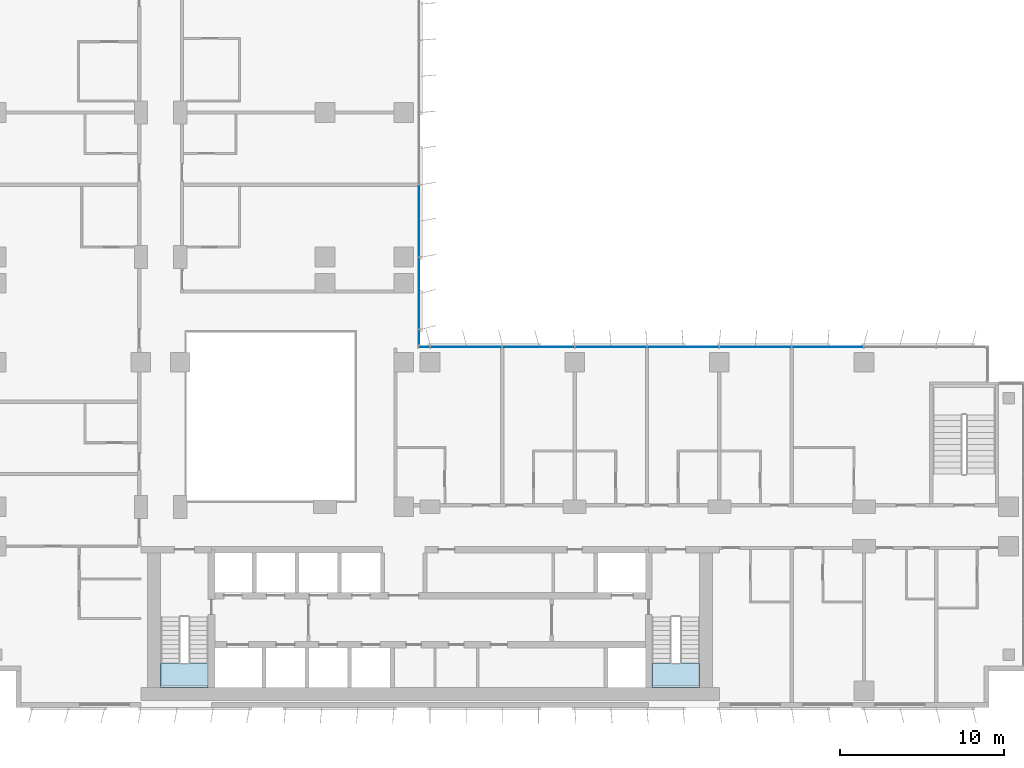
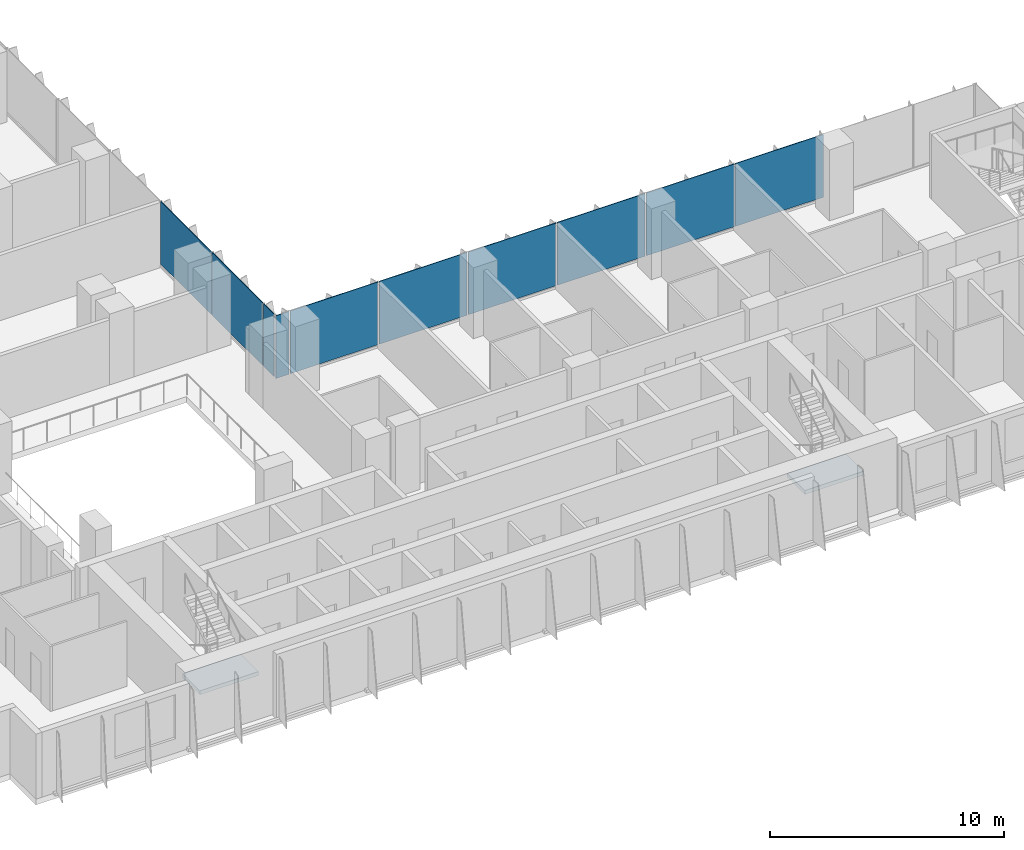
# One storey, part 10 of 23: 10 plates, 2 slabs, 4 elements without a shape of their own.
"""IFC4 building model written with IfcOpenShell, lengths in metres."""

from ifc_helpers import new_model, si_unit, direction, frame, origin, origin_2d, place, context, subcontext, project, spatial, polyline, rectangle, outline, extrude, source, transform, mapped, material, layer, layer_set, type_object, element, aggregate, save


model = new_model("IFC4")

# Units and contexts
model_context = context("Model", 3, precision=1e-05, world=origin(), true_north=direction((0.0, 1.0)))
body_context = subcontext(model_context, "Body", "Model", "MODEL_VIEW")
ifc_project = project(units=[si_unit("LENGTHUNIT", "METRE"), si_unit("AREAUNIT", "SQUARE_METRE"), si_unit("VOLUMEUNIT", "CUBIC_METRE"), si_unit("PLANEANGLEUNIT", "RADIAN"), si_unit("MASSUNIT", "GRAM", prefix="KILO")], contexts=[model_context])

# Site, building, storey
site_placement = place(None, origin())
site = spatial("IfcSite", under=ifc_project, at=site_placement, CompositionType="ELEMENT")
building_placement = place(site_placement, origin())
building = spatial("IfcBuilding", under=site, at=building_placement, Name="Kemantara Hotel Tower", CompositionType="ELEMENT")
storey_placement = place(building_placement, frame((0.0, 0.0, 114.800048828125)))
storey = spatial("IfcBuildingStorey", under=building, at=storey_placement, Name="L27", CompositionType="ELEMENT", Elevation=114.800048828125)

# Stair, slab
ifc_material_1 = material(Name="Concrete fc 40 MPa", Category="concrete")
stair_type = type_object("IfcStairType", Name="Stair 1200 wide 22 risers of 168 x 280 mm", PredefinedType="HALF_TURN_STAIR", material=ifc_material_1)
stair_1_placement = place(storey_placement, origin())
stair_1 = element("IfcStair", 1, at=stair_1_placement, inside=storey, type_object=stair_type, Name="L27 Exit stair ST1", PredefinedType="HALF_TURN_STAIR")
ifc_layer_1 = layer(ifc_material_1, 0.199951171875)
ifc_layer_set_1 = layer_set([ifc_layer_1], Name="Concrete fc 40 MPa")
slab_type = type_object("IfcSlabType", Name="Stair landing 200 mm", PredefinedType="LANDING", material=ifc_layer_set_1)
slab_1_placement = place(storey_placement, frame((0.0, 0.0, 1.64990234375)))
slab_1 = element("IfcSlab", 2, at=slab_1_placement, type_object=slab_type, Name="ST1 landing 1", PredefinedType="LANDING", context=body_context, shape_type="SweptSolid", body=[
    extrude(outline(polyline([(11.0, 2.699951171875), (11.0, 1.199951171875), (13.89990234375, 1.199951171875), (13.89990234375, 2.699951171875), (11.0, 2.699951171875)])), origin(), (0.0, 0.0, 1.0), 0.199951171875),
])
aggregate(stair_1, [slab_1])

stair_2_placement = place(storey_placement, origin())
stair_2 = element("IfcStair", 3, at=stair_2_placement, inside=storey, type_object=stair_type, Name="L27 Exit stair ST2", PredefinedType="HALF_TURN_STAIR")
slab_2_placement = place(storey_placement, frame((0.0, 0.0, 1.64990234375)))
slab_2 = element("IfcSlab", 4, at=slab_2_placement, type_object=slab_type, Name="ST2 landing 1", PredefinedType="LANDING", context=body_context, shape_type="SweptSolid", body=[
    extrude(outline(polyline([(40.89990234375, 2.699951171875), (40.89990234375, 1.199951171875), (43.800048828125, 1.199951171875), (43.800048828125, 2.699951171875), (40.89990234375, 2.699951171875)])), origin(), (0.0, 0.0, 1.0), 0.199951171875),
])
aggregate(stair_2, [slab_2])

# Curtain wall, plates
ifc_material_2 = material(Name="Low-E tinted double insulated glass 36 mm", Category="glass")
curtain_wall_type = type_object("IfcCurtainWallType", Name="TOWER CURTAIN WALL, FRONT FACES", PredefinedType="USERDEFINED", material=ifc_material_2)
curtain_wall_1_placement = place(storey_placement, origin())
curtain_wall_1 = element("IfcCurtainWall", 5, at=curtain_wall_1_placement, inside=storey, type_object=curtain_wall_type, Name="CW4 L27 T2-R13-1", ObjectType="TOWER CURTAIN WALL, FRONT FACES", PredefinedType="USERDEFINED")
ifc_layer_2 = layer(ifc_material_2, 0.035888671875)
ifc_layer_set_2 = layer_set([ifc_layer_2], Name="Low-E tinted double insulated glass 36 mm")
plate_type = type_object("IfcPlateType", Name="TOWER CURTAIN WALL, FRONT FACES PANEL", PredefinedType="CURTAIN_PANEL", material=ifc_layer_set_2)
shared_shape_1 = source(origin(), body_context, "Body", "SweptSolid", [
    extrude(rectangle(XDim=4.340087890625, YDim=0.035888671875, at=origin_2d()), origin(), (0.0, 0.0, 1.0), 3.280029296875),
])
plate_1_placement = place(storey_placement, frame((51.60009765625, 21.925048828125, 0.1201171875), z_axis=(0.0, 0.0, 1.0), x_axis=(-1.0, 0.0, 0.0)))
plate_1 = element("IfcPlate", 6, at=plate_1_placement, type_object=plate_type, Name="CW4 glass panel T2-R13-1.3", PredefinedType="CURTAIN_PANEL", context=body_context, shape_type="MappedRepresentation", body=[
    mapped(shared_shape_1, transform((0.0, 0.0, 0.0))),
])
plate_2_placement = place(storey_placement, frame((47.199951171875, 21.925048828125, 0.1201171875), z_axis=(0.0, 0.0, 1.0), x_axis=(-1.0, 0.0, 0.0)))
plate_2 = element("IfcPlate", 7, at=plate_2_placement, type_object=plate_type, Name="CW4 glass panel T2-R13-1.4", PredefinedType="CURTAIN_PANEL", context=body_context, shape_type="MappedRepresentation", body=[
    mapped(shared_shape_1, transform((0.0, 0.0, 0.0))),
])
plate_3_placement = place(storey_placement, frame((42.800048828125, 21.925048828125, 0.1201171875), z_axis=(0.0, 0.0, 1.0), x_axis=(-1.0, 0.0, 0.0)))
plate_3 = element("IfcPlate", 8, at=plate_3_placement, type_object=plate_type, Name="CW4 glass panel T2-R13-1.5", PredefinedType="CURTAIN_PANEL", context=body_context, shape_type="MappedRepresentation", body=[
    mapped(shared_shape_1, transform((0.0, 0.0, 0.0))),
])
plate_4_placement = place(storey_placement, frame((38.39990234375, 21.925048828125, 0.1201171875), z_axis=(0.0, 0.0, 1.0), x_axis=(-1.0, 0.0, 0.0)))
plate_4 = element("IfcPlate", 9, at=plate_4_placement, type_object=plate_type, Name="CW4 glass panel T2-R13-1.6", PredefinedType="CURTAIN_PANEL", context=body_context, shape_type="MappedRepresentation", body=[
    mapped(shared_shape_1, transform((0.0, 0.0, 0.0))),
])
plate_5_placement = place(storey_placement, frame((34.0, 21.925048828125, 0.1201171875), z_axis=(0.0, 0.0, 1.0), x_axis=(-1.0, 0.0, 0.0)))
plate_5 = element("IfcPlate", 10, at=plate_5_placement, type_object=plate_type, Name="CW4 glass panel T2-R13-1.7", PredefinedType="CURTAIN_PANEL", context=body_context, shape_type="MappedRepresentation", body=[
    mapped(shared_shape_1, transform((0.0, 0.0, 0.0))),
])
plate_6_placement = place(storey_placement, frame((29.60009765625, 21.925048828125, 0.1201171875), z_axis=(0.0, 0.0, 1.0), x_axis=(-1.0, 0.0, 0.0)))
plate_6 = element("IfcPlate", 11, at=plate_6_placement, type_object=plate_type, Name="CW4 glass panel T2-R13-1.8", PredefinedType="CURTAIN_PANEL", context=body_context, shape_type="MappedRepresentation", body=[
    mapped(shared_shape_1, transform((0.0, 0.0, 0.0))),
])

curtain_wall_2_placement = place(storey_placement, origin())
curtain_wall_2 = element("IfcCurtainWall", 12, at=curtain_wall_2_placement, inside=storey, type_object=curtain_wall_type, Name="CW4 L27 T2-R14-1", ObjectType="TOWER CURTAIN WALL, FRONT FACES", PredefinedType="USERDEFINED")
plate_7_placement = place(storey_placement, frame((26.72509765625, 25.199951171875, 0.1201171875), z_axis=(0.0, 0.0, 1.0), x_axis=(0.0, 1.0, 0.0)))
plate_7 = element("IfcPlate", 13, at=plate_7_placement, type_object=plate_type, Name="CW4 glass panel T2-R14-1.2", PredefinedType="CURTAIN_PANEL", context=body_context, shape_type="MappedRepresentation", body=[
    mapped(shared_shape_1, transform((0.0, 0.0, 0.0))),
])
plate_8_placement = place(storey_placement, frame((26.72509765625, 29.60009765625, 0.1201171875), z_axis=(0.0, 0.0, 1.0), x_axis=(0.0, 1.0, 0.0)))
plate_8 = element("IfcPlate", 14, at=plate_8_placement, type_object=plate_type, Name="CW4 glass panel T2-R14-1.3", PredefinedType="CURTAIN_PANEL", context=body_context, shape_type="MappedRepresentation", body=[
    mapped(shared_shape_1, transform((0.0, 0.0, 0.0))),
])

# Plate
shared_shape_2 = source(origin(), body_context, "Body", "SweptSolid", [
    extrude(rectangle(XDim=0.659912109375, YDim=0.035888671875, at=origin_2d()), origin(), (0.0, 0.0, 1.0), 3.280029296875),
])
plate_9_placement = place(storey_placement, frame((27.0400390625, 21.925048828125, 0.1201171875), z_axis=(0.0, 0.0, 1.0), x_axis=(-1.0, 0.0, 0.0)))
plate_9 = element("IfcPlate", 15, at=plate_9_placement, type_object=plate_type, Name="CW4 glass panel T2-R13-1.9", PredefinedType="CURTAIN_PANEL", context=body_context, shape_type="MappedRepresentation", body=[
    mapped(shared_shape_2, transform((0.0, 0.0, 0.0))),
])

aggregate(curtain_wall_1, [plate_1, plate_2, plate_3, plate_4, plate_5, plate_6, plate_9])

shared_shape_3 = source(origin(), body_context, "Body", "SweptSolid", [
    extrude(rectangle(XDim=0.909912109375, YDim=0.035888671875, at=origin_2d()), origin(), (0.0, 0.0, 1.0), 3.280029296875),
])
plate_10_placement = place(storey_placement, frame((26.72509765625, 22.514892578125, 0.1201171875), z_axis=(0.0, 0.0, 1.0), x_axis=(0.0, 1.0, 0.0)))
plate_10 = element("IfcPlate", 16, at=plate_10_placement, type_object=plate_type, Name="CW4 glass panel T2-R14-1.1", PredefinedType="CURTAIN_PANEL", context=body_context, shape_type="MappedRepresentation", body=[
    mapped(shared_shape_3, transform((0.0, 0.0, 0.0))),
])

aggregate(curtain_wall_2, [plate_10, plate_7, plate_8])

save(model, "model.ifc")
